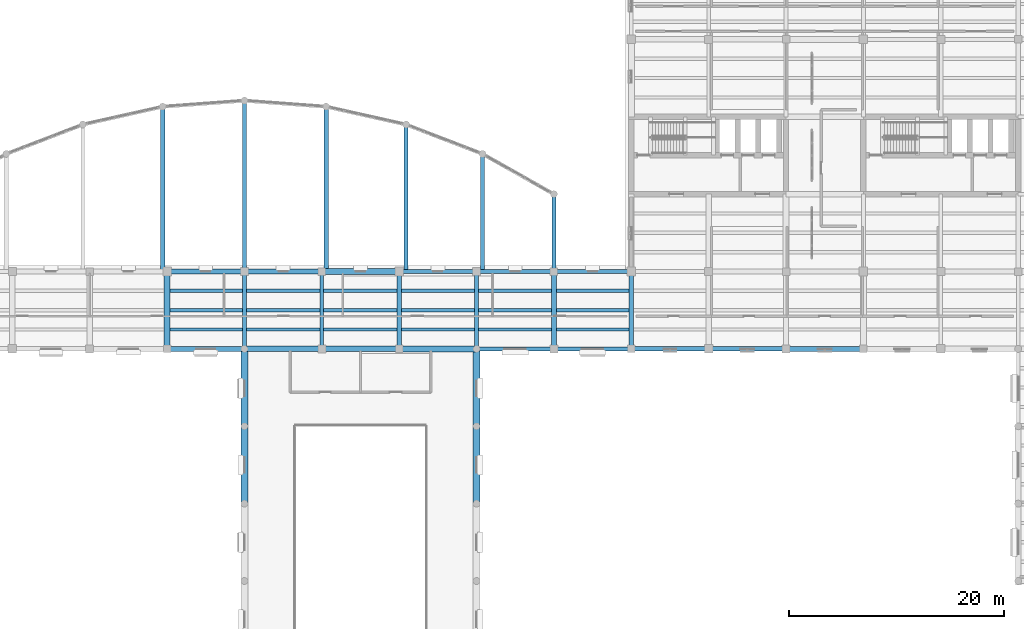
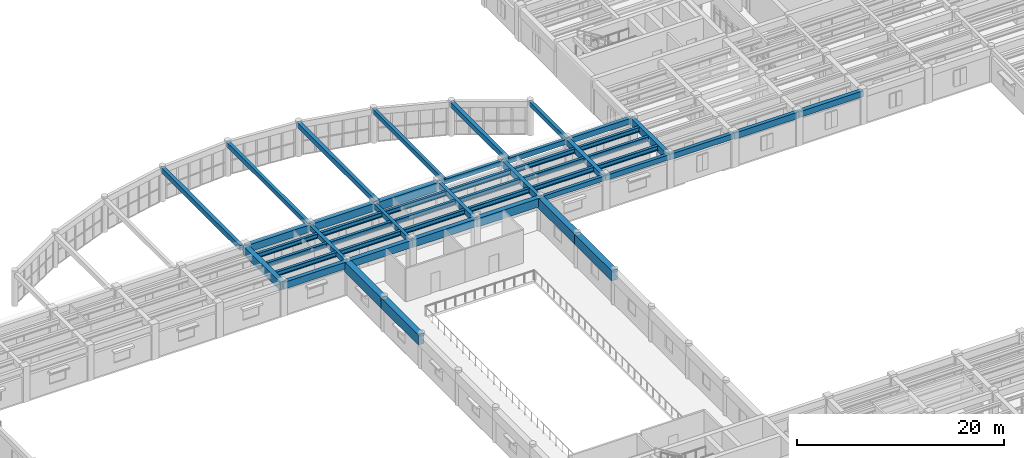
# One storey, part 19 of 76: 44 beams, 6 members.
"""IFC4 building model written with IfcOpenShell, lengths in metres."""

import ifcopenshell
import ifcopenshell.guid

model = None  # the IFC model being written
_history = None  # IfcOwnerHistory: only IFC2X3 demands one
_inside = {}  # id of a spatial element -> (the spatial element, [elements in it])
_under = {}  # id of a project, library or spatial element -> (it, [spatial elements below it])
_declared = {}  # id of a project -> (the project, [libraries it declares])
_typed = {}  # id of a type object -> (the type object, [elements of that type])
_made_of = {}  # id of a material, layer set ... -> (it, [elements and type objects made of it])


def new_model(schema):
    """Start an empty IFC model of exactly this schema.

    Asked for "IFC4X3", IfcOpenShell would pick the latest addendum, in which some entities
    have other attributes; the version numbers below select the first issue.
    IFC2X3 requires an IfcOwnerHistory on every rooted entity: one is made here for all.
    """
    global model, _history
    if schema == "IFC4X3":
        model = ifcopenshell.file(schema_version=(4, 3, 0, 0))
    else:
        model = ifcopenshell.file(schema=schema)
    _inside.clear()
    _under.clear()
    _declared.clear()
    _typed.clear()
    _made_of.clear()
    _history = None
    if model.schema == "IFC2X3":
        org = make("IfcOrganization", Name="unknown")
        user = make(
            "IfcPersonAndOrganization",
            ThePerson=make("IfcPerson", FamilyName="unknown"),
            TheOrganization=org,
        )
        app = make(
            "IfcApplication",
            ApplicationDeveloper=org,
            Version="unknown",
            ApplicationFullName="unknown",
            ApplicationIdentifier="unknown",
        )
        _history = make(
            "IfcOwnerHistory",
            OwningUser=user,
            OwningApplication=app,
            ChangeAction="ADDED",
            CreationDate=0,
        )
    return model


def make(cls, **values):
    """One entity of the class cls with the attributes given. An attribute that is None is left unset."""
    return model.create_entity(
        cls, **{name: value for name, value in values.items() if value is not None}
    )


def rooted(cls, **values):
    """An entity with a GlobalId (a new one), such as an element, a storey or a relation."""
    return make(cls, GlobalId=ifcopenshell.guid.new(), OwnerHistory=_history, **values)


def si_unit(unit_type, name, prefix=None):
    """IfcSIUnit, for example si_unit("LENGTHUNIT", "METRE", prefix="MILLI")."""
    return make("IfcSIUnit", UnitType=unit_type, Prefix=prefix, Name=name)


def assignment(units):
    """IfcUnitAssignment: the units of a project."""
    return None if units is None else make("IfcUnitAssignment", Units=units)


def point(xyz):
    """IfcCartesianPoint."""
    return None if xyz is None else make("IfcCartesianPoint", Coordinates=xyz)


def direction(xyz):
    """IfcDirection."""
    return None if xyz is None else make("IfcDirection", DirectionRatios=xyz)


def frame(location, z_axis=None, x_axis=None):
    """IfcAxis2Placement3D, a coordinate frame: its origin and axes. An axis left out is left unset."""
    return make(
        "IfcAxis2Placement3D",
        Location=point(location),
        Axis=direction(z_axis),
        RefDirection=direction(x_axis),
    )


def frame_2d(location, x_axis=None):
    """IfcAxis2Placement2D, a coordinate frame in the plane: its origin and x axis."""
    return make(
        "IfcAxis2Placement2D", Location=point(location), RefDirection=direction(x_axis)
    )


def origin():
    """The frame at (0, 0, 0) with its axes left unset."""
    return frame((0.0, 0.0, 0.0))


def origin_2d():
    """The frame at (0, 0) in the plane with its x axis left unset."""
    return frame_2d((0.0, 0.0))


def place(relative_to, where):
    """IfcLocalPlacement: puts the frame where relative to a parent placement (None: the world)."""
    return make(
        "IfcLocalPlacement", PlacementRelTo=relative_to, RelativePlacement=where
    )


def context(
    kind, dimensions, precision=None, world=None, true_north=None, identifier=None
):
    """IfcGeometricRepresentationContext, for example the 3D "Model" context."""
    return make(
        "IfcGeometricRepresentationContext",
        ContextIdentifier=identifier,
        ContextType=kind,
        CoordinateSpaceDimension=dimensions,
        Precision=precision,
        WorldCoordinateSystem=world,
        TrueNorth=true_north,
    )


def subcontext(parent, identifier, kind, view, scale=None):
    """IfcGeometricRepresentationSubContext, for example "Body" below "Model"."""
    return make(
        "IfcGeometricRepresentationSubContext",
        ContextIdentifier=identifier,
        ContextType=kind,
        ParentContext=parent,
        TargetScale=scale,
        TargetView=view,
    )


def project(units=None, contexts=None):
    """IfcProject with its units and contexts."""
    return rooted(
        "IfcProject",
        Name="project",
        RepresentationContexts=contexts,
        UnitsInContext=assignment(units),
    )


def spatial(cls, under=None, at=None, **own):
    """A site, building, storey or space (cls), placed at a placement, below another one or the project."""
    s = rooted(cls, ObjectPlacement=at, **own)
    if under is not None:
        _under.setdefault(under.id(), (under, []))[1].append(s)
    return s


def profile(cls, at=None, kind="AREA", **sizes):
    """A parametric profile (cls). Its sizes go by their IFC names, for example OverallWidth=200.0."""
    return make(cls, ProfileType=kind, Position=at, **sizes)


def rectangle(**sizes):
    """IfcRectangleProfileDef."""
    return profile("IfcRectangleProfileDef", **sizes)


def i_section(**sizes):
    """IfcIShapeProfileDef."""
    return profile("IfcIShapeProfileDef", **sizes)


def extrude(swept, where, along, depth):
    """IfcExtrudedAreaSolid: the profile swept, set in the frame where, extruded along a direction by depth."""
    return make(
        "IfcExtrudedAreaSolid",
        SweptArea=swept,
        Position=where,
        ExtrudedDirection=direction(along),
        Depth=depth,
    )


def shape(context_of_items, identifier, shape_type, items):
    """IfcShapeRepresentation: the items that make up one representation, for example the "Body"."""
    return make(
        "IfcShapeRepresentation",
        ContextOfItems=context_of_items,
        RepresentationIdentifier=identifier,
        RepresentationType=shape_type,
        Items=items,
    )


def material(Name=None, Category=None):
    """IfcMaterial."""
    return make("IfcMaterial", Name=Name, Category=Category)


def material_profile(
    of_material, cross_section, Name=None, Category=None, Priority=None
):
    """IfcMaterialProfile: a cross section and its material."""
    return make(
        "IfcMaterialProfile",
        Name=Name,
        Material=of_material,
        Profile=cross_section,
        Priority=Priority,
        Category=Category,
    )


def profile_set(profiles, Name=None, composite=None):
    """IfcMaterialProfileSet."""
    return make(
        "IfcMaterialProfileSet",
        Name=Name,
        MaterialProfiles=profiles,
        CompositeProfile=composite,
    )


def made_of(thing, what):
    """Note that an element or type object is made of a material, layer set ...; save() writes the relation."""
    if what is not None:
        _made_of.setdefault(what.id(), (what, []))[1].append(thing)
    return thing


def type_object(cls, material=None, **own):
    """A type object (cls), such as IfcWallType, which elements share."""
    return made_of(rooted(cls, **own), material)


def element(
    cls,
    number,
    at=None,
    inside=None,
    cuts=None,
    type_object=None,
    material=None,
    context=None,
    identifier="Body",
    shape_type=None,
    held_by="IfcProductDefinitionShape",
    body=None,
    shapes=None,
    **own,
):
    """One element of the class cls, such as IfcWall. Its Tag is "e" and its number.

    at: its placement. inside: the storey or other place that contains it. cuts: it is an
    opening in that element (IfcRelVoidsElement). A single representation is given by context,
    identifier, shape_type and body (its items); several are given by shapes. held_by: the class
    of the entity that holds the representations. save() writes the other relations.
    """
    e = rooted(cls, Tag="e%d" % number, ObjectPlacement=at, **own)
    if body is not None:
        shapes = [shape(context, identifier, shape_type, body)]
    if shapes is not None:
        e.Representation = make(held_by, Representations=shapes)
    if inside is not None:
        _inside.setdefault(inside.id(), (inside, []))[1].append(e)
    if cuts is not None:
        rooted(
            "IfcRelVoidsElement", RelatingBuildingElement=cuts, RelatedOpeningElement=e
        )
    if type_object is not None:
        _typed.setdefault(type_object.id(), (type_object, []))[1].append(e)
    return made_of(e, material)


def aggregate(whole, parts):
    """IfcRelAggregates: a whole, such as a stair, and the parts it consists of."""
    return rooted("IfcRelAggregates", RelatingObject=whole, RelatedObjects=parts)


def save(model, path):
    """Write the relations noted so far, then the file.

    IfcRelAggregates (storeys below a building ...), IfcRelContainedInSpatialStructure (elements
    in a storey), IfcRelDefinesByType, IfcRelAssociatesMaterial and IfcRelDeclares: one each for
    every whole, place, type object, material and project.
    """
    for whole, parts in _under.values():
        aggregate(whole, parts)
    for where, things in _inside.values():
        rooted(
            "IfcRelContainedInSpatialStructure",
            RelatedElements=things,
            RelatingStructure=where,
        )
    for kind, things in _typed.values():
        rooted("IfcRelDefinesByType", RelatedObjects=things, RelatingType=kind)
    for what, things in _made_of.values():
        rooted("IfcRelAssociatesMaterial", RelatedObjects=things, RelatingMaterial=what)
    for by, libraries in _declared.values():
        rooted("IfcRelDeclares", RelatingContext=by, RelatedDefinitions=libraries)
    model.write(path)


model = new_model("IFC4")

# Units and contexts
model_context = context("Model", 3, precision=1e-05, world=origin(), true_north=direction((0.0, 1.0)))
body_context = subcontext(model_context, "Body", "Model", "MODEL_VIEW")
ifc_project = project(units=[si_unit("LENGTHUNIT", "METRE"), si_unit("AREAUNIT", "SQUARE_METRE"), si_unit("VOLUMEUNIT", "CUBIC_METRE"), si_unit("PLANEANGLEUNIT", "RADIAN"), si_unit("MASSUNIT", "GRAM", prefix="KILO")], contexts=[model_context])

# Site, building, storey
site_placement = place(None, origin())
site = spatial("IfcSite", under=ifc_project, at=site_placement, CompositionType="ELEMENT")
building_placement = place(site_placement, origin())
building = spatial("IfcBuilding", under=site, at=building_placement, Name="Mithqara Police Headquarters", CompositionType="ELEMENT")
storey_placement = place(building_placement, frame((0.0, 0.0, 5.39990234375)))
storey = spatial("IfcBuildingStorey", under=building, at=storey_placement, Name="L01", CompositionType="ELEMENT", Elevation=5.39990234375)

# Members
ifc_material_1 = material(Name="Concrete C50/60", Category="concrete")
ifc_material_profile_1 = material_profile(ifc_material_1, rectangle(XDim=0.35009765625, YDim=0.550048828125, at=origin_2d()), Name="ARC 350x550")
ifc_profile_set_1 = profile_set([ifc_material_profile_1], Name="Concrete C50/60")
member_type_1 = type_object("IfcMemberType", Name="ARCH SEG 350X550", PredefinedType="STRUT", material=ifc_profile_set_1)
member_1_placement = place(storey_placement, frame((72.60009765625, 85.800048828125, 3.72509765625), z_axis=(0.0, 1.0, 0.0), x_axis=(-1.0, 0.0, 0.0)))
element("IfcMember", 1, at=member_1_placement, inside=storey, type_object=member_type_1, Name="Forecourt Arcade Transverse Strut 5", PredefinedType="STRUT", context=body_context, shape_type="SweptSolid", body=[
    extrude(rectangle(XDim=0.35009765625, YDim=0.550048828125, at=origin_2d()), origin(), (0.0, 0.0, 1.0), 15.90380859375),
])
member_2_placement = place(storey_placement, frame((87.643310546875, 85.800048828125, 3.72509765625), z_axis=(0.0, 1.0, 0.0), x_axis=(-1.0, 0.0, 0.0)))
element("IfcMember", 2, at=member_2_placement, inside=storey, type_object=member_type_1, Name="Forecourt Arcade Transverse Strut 7", PredefinedType="STRUT", context=body_context, shape_type="SweptSolid", body=[
    extrude(rectangle(XDim=0.35009765625, YDim=0.550048828125, at=origin_2d()), origin(), (0.0, 0.0, 1.0), 13.68017578125),
])
member_3_placement = place(storey_placement, frame((101.39990234375, 85.800048828125, 3.72509765625), z_axis=(0.0, 1.0, 0.0), x_axis=(-1.0, 0.0, 0.0)))
element("IfcMember", 3, at=member_3_placement, inside=storey, type_object=member_type_1, Name="Forecourt Arcade Transverse Strut 9", PredefinedType="STRUT", context=body_context, shape_type="SweptSolid", body=[
    extrude(rectangle(XDim=0.35009765625, YDim=0.550048828125, at=origin_2d()), origin(), (0.0, 0.0, 1.0), 7.199951171875),
])
ifc_material_profile_2 = material_profile(ifc_material_1, rectangle(XDim=0.39990234375, YDim=0.60009765625, at=origin_2d()), Name="ARC 400x600")
ifc_profile_set_2 = profile_set([ifc_material_profile_2], Name="Concrete C50/60")
member_type_2 = type_object("IfcMemberType", Name="ARCH SEG 400X600", PredefinedType="STRUT", material=ifc_profile_set_2)
for number, where, z_axis, x_axis, name in (
    (4, (64.99658203125, 85.800048828125, 3.7001953125), (0.0, 1.0, 0.0), (-1.0, 0.0, 0.0), "Forecourt Arcade Transverse Strut 4"),
    (5, (80.203369140625, 85.800048828125, 3.7001953125), (0.0, 1.0, 0.0), (-1.0, 0.0, 0.0), "Forecourt Arcade Transverse Strut 6"),
):
    element("IfcMember", number, at=place(storey_placement, frame(where, z_axis=z_axis, x_axis=x_axis)), inside=storey, type_object=member_type_2, Name=name, PredefinedType="STRUT", context=body_context, shape_type="SweptSolid", body=[
        extrude(rectangle(XDim=0.39990234375, YDim=0.60009765625, at=origin_2d()), origin(), (0.0, 0.0, 1.0), 15.344970703125),
    ])
member_4_placement = place(storey_placement, frame((94.759765625, 85.800048828125, 3.7001953125), z_axis=(0.0, 1.0, 0.0), x_axis=(-1.0, 0.0, 0.0)))
element("IfcMember", 6, at=member_4_placement, inside=storey, type_object=member_type_2, Name="Forecourt Arcade Transverse Strut 8", PredefinedType="STRUT", context=body_context, shape_type="SweptSolid", body=[
    extrude(rectangle(XDim=0.39990234375, YDim=0.60009765625, at=origin_2d()), origin(), (0.0, 0.0, 1.0), 10.945556640625),
])

# Beams
ifc_material_2 = material(Name="Steel S355JR", Category="steel")
ifc_material_profile_3 = material_profile(ifc_material_2, i_section(OverallWidth=0.300048828125, OverallDepth=0.550048828125, WebThickness=0.014892578125, FlangeThickness=0.029052734375, FilletRadius=0.027099609375, at=origin_2d()), Name="HEB 550")
ifc_profile_set_3 = profile_set([ifc_material_profile_3], Name="Steel S355JR")
beam_type_1 = type_object("IfcBeamType", Name="BEAM HEB550", PredefinedType="BEAM", material=ifc_profile_set_3)
for number, where, z_axis, x_axis, name in (
    (7, (65.675048828125, 80.39990234375, 3.64501953125), (1.0, 0.0, 0.0), (0.0, 1.0, 0.0), "L01 Composite Steel Joist 10-11/M.1"),
    (8, (65.675048828125, 82.199951171875, 3.64501953125), (1.0, 0.0, 0.0), (0.0, 1.0, 0.0), "L01 Composite Steel Joist 10-11/M.2"),
    (9, (65.675048828125, 84.0, 3.64501953125), (1.0, 0.0, 0.0), (0.0, 1.0, 0.0), "L01 Composite Steel Joist 10-11/M.3"),
):
    element("IfcBeam", number, at=place(storey_placement, frame(where, z_axis=z_axis, x_axis=x_axis)), inside=storey, type_object=beam_type_1, Name=name, PredefinedType="BEAM", context=body_context, shape_type="SweptSolid", body=[
        extrude(i_section(OverallWidth=0.300048828125, OverallDepth=0.550048828125, WebThickness=0.014892578125, FlangeThickness=0.029052734375, FilletRadius=0.027099609375, at=origin_2d()), origin(), (0.0, 0.0, 1.0), 6.75),
    ])
for number, where, z_axis, x_axis, name in (
    (10, (72.77490234375, 80.39990234375, 3.64501953125), (1.0, 0.0, 0.0), (0.0, 1.0, 0.0), "L01 Composite Steel Joist 11-12/M.1"),
    (11, (72.77490234375, 82.199951171875, 3.64501953125), (1.0, 0.0, 0.0), (0.0, 1.0, 0.0), "L01 Composite Steel Joist 11-12/M.2"),
    (12, (72.77490234375, 84.0, 3.64501953125), (1.0, 0.0, 0.0), (0.0, 1.0, 0.0), "L01 Composite Steel Joist 11-12/M.3"),
):
    element("IfcBeam", number, at=place(storey_placement, frame(where, z_axis=z_axis, x_axis=x_axis)), inside=storey, type_object=beam_type_1, Name=name, PredefinedType="BEAM", context=body_context, shape_type="SweptSolid", body=[
        extrude(i_section(OverallWidth=0.300048828125, OverallDepth=0.550048828125, WebThickness=0.014892578125, FlangeThickness=0.029052734375, FilletRadius=0.027099609375, at=origin_2d()), origin(), (0.0, 0.0, 1.0), 6.85009765625),
    ])
for number, where, z_axis, x_axis, name in (
    (13, (79.97509765625, 80.39990234375, 3.64501953125), (1.0, 0.0, 0.0), (0.0, 1.0, 0.0), "L01 Composite Steel Joist 12-13/M.1"),
    (14, (79.97509765625, 82.199951171875, 3.64501953125), (1.0, 0.0, 0.0), (0.0, 1.0, 0.0), "L01 Composite Steel Joist 12-13/M.2"),
    (15, (79.97509765625, 84.0, 3.64501953125), (1.0, 0.0, 0.0), (0.0, 1.0, 0.0), "L01 Composite Steel Joist 12-13/M.3"),
):
    element("IfcBeam", number, at=place(storey_placement, frame(where, z_axis=z_axis, x_axis=x_axis)), inside=storey, type_object=beam_type_1, Name=name, PredefinedType="BEAM", context=body_context, shape_type="SweptSolid", body=[
        extrude(i_section(OverallWidth=0.300048828125, OverallDepth=0.550048828125, WebThickness=0.014892578125, FlangeThickness=0.029052734375, FilletRadius=0.027099609375, at=origin_2d()), origin(), (0.0, 0.0, 1.0), 6.824951171875),
    ])
for number, where, z_axis, x_axis, name in (
    (16, (87.199951171875, 80.39990234375, 3.64501953125), (1.0, 0.0, 0.0), (0.0, 1.0, 0.0), "L01 Composite Steel Joist 13-14/M.1"),
    (17, (87.199951171875, 82.199951171875, 3.64501953125), (1.0, 0.0, 0.0), (0.0, 1.0, 0.0), "L01 Composite Steel Joist 13-14/M.2"),
    (18, (87.199951171875, 84.0, 3.64501953125), (1.0, 0.0, 0.0), (0.0, 1.0, 0.0), "L01 Composite Steel Joist 13-14/M.3"),
):
    element("IfcBeam", number, at=place(storey_placement, frame(where, z_axis=z_axis, x_axis=x_axis)), inside=storey, type_object=beam_type_1, Name=name, PredefinedType="BEAM", context=body_context, shape_type="SweptSolid", body=[
        extrude(i_section(OverallWidth=0.300048828125, OverallDepth=0.550048828125, WebThickness=0.014892578125, FlangeThickness=0.029052734375, FilletRadius=0.027099609375, at=origin_2d()), origin(), (0.0, 0.0, 1.0), 6.800048828125),
    ])
for number, where, z_axis, x_axis, name in (
    (19, (94.39990234375, 80.39990234375, 3.64501953125), (1.0, 0.0, 0.0), (0.0, 1.0, 0.0), "L01 Composite Steel Joist 14-15/M.1"),
    (20, (94.39990234375, 82.199951171875, 3.64501953125), (1.0, 0.0, 0.0), (0.0, 1.0, 0.0), "L01 Composite Steel Joist 14-15/M.2"),
    (21, (94.39990234375, 84.0, 3.64501953125), (1.0, 0.0, 0.0), (0.0, 1.0, 0.0), "L01 Composite Steel Joist 14-15/M.3"),
):
    element("IfcBeam", number, at=place(storey_placement, frame(where, z_axis=z_axis, x_axis=x_axis)), inside=storey, type_object=beam_type_1, Name=name, PredefinedType="BEAM", context=body_context, shape_type="SweptSolid", body=[
        extrude(i_section(OverallWidth=0.300048828125, OverallDepth=0.550048828125, WebThickness=0.014892578125, FlangeThickness=0.029052734375, FilletRadius=0.027099609375, at=origin_2d()), origin(), (0.0, 0.0, 1.0), 6.775146484375),
    ])
for number, where, z_axis, x_axis, name in (
    (22, (101.625, 80.39990234375, 3.64501953125), (1.0, 0.0, 0.0), (0.0, 1.0, 0.0), "L01 Composite Steel Joist 15-16/M.1"),
    (23, (101.625, 82.199951171875, 3.64501953125), (1.0, 0.0, 0.0), (0.0, 1.0, 0.0), "L01 Composite Steel Joist 15-16/M.2"),
    (24, (101.625, 84.0, 3.64501953125), (1.0, 0.0, 0.0), (0.0, 1.0, 0.0), "L01 Composite Steel Joist 15-16/M.3"),
):
    element("IfcBeam", number, at=place(storey_placement, frame(where, z_axis=z_axis, x_axis=x_axis)), inside=storey, type_object=beam_type_1, Name=name, PredefinedType="BEAM", context=body_context, shape_type="SweptSolid", body=[
        extrude(i_section(OverallWidth=0.300048828125, OverallDepth=0.550048828125, WebThickness=0.014892578125, FlangeThickness=0.029052734375, FilletRadius=0.027099609375, at=origin_2d()), origin(), (0.0, 0.0, 1.0), 6.75),
    ])
ifc_material_3 = material(Name="Concrete C40/50", Category="concrete")
ifc_material_profile_4 = material_profile(ifc_material_3, rectangle(XDim=0.35009765625, YDim=0.550048828125, at=origin_2d()), Name="RC 350x550")
ifc_profile_set_4 = profile_set([ifc_material_profile_4], Name="Concrete C40/50")
beam_type_2 = type_object("IfcBeamType", Name="BEAM RC350X550", PredefinedType="BEAM", material=ifc_profile_set_4)
for number, where, z_axis, x_axis, name in (
    (25, (72.60009765625, 78.60009765625, 3.64501953125), (0.0, 1.0, 0.0), (-1.0, 0.0, 0.0), "L01 Girder 11/M-N"),
    (26, (87.0, 85.800048828125, 3.64501953125), (1.0, 0.0, 0.0), (0.0, 1.0, 0.0), "L01 Girder 13-14/N"),
    (27, (94.199951171875, 78.60009765625, 3.64501953125), (1.0, 0.0, 0.0), (0.0, 1.0, 0.0), "L01 Girder 14-15/M"),
):
    element("IfcBeam", number, at=place(storey_placement, frame(where, z_axis=z_axis, x_axis=x_axis)), inside=storey, type_object=beam_type_2, Name=name, PredefinedType="BEAM", context=body_context, shape_type="SweptSolid", body=[
        extrude(rectangle(XDim=0.35009765625, YDim=0.550048828125, at=origin_2d()), origin(), (0.0, 0.0, 1.0), 7.199951171875),
    ])
ifc_material_profile_5 = material_profile(ifc_material_3, rectangle(XDim=0.35009765625, YDim=0.60009765625, at=origin_2d()), Name="RC 350x600")
ifc_profile_set_5 = profile_set([ifc_material_profile_5], Name="Concrete C40/50")
beam_type_3 = type_object("IfcBeamType", Name="BEAM RC350X600", PredefinedType="BEAM", material=ifc_profile_set_5)
for number, where, z_axis, x_axis, name in (
    (28, (79.800048828125, 78.60009765625, 3.6201171875), (0.0, 1.0, 0.0), (-1.0, 0.0, 0.0), "L01 Girder 12/M-N"),
    (29, (94.199951171875, 85.800048828125, 3.6201171875), (1.0, 0.0, 0.0), (0.0, 1.0, 0.0), "L01 Girder 14-15/N"),
):
    element("IfcBeam", number, at=place(storey_placement, frame(where, z_axis=z_axis, x_axis=x_axis)), inside=storey, type_object=beam_type_3, Name=name, PredefinedType="BEAM", context=body_context, shape_type="SweptSolid", body=[
        extrude(rectangle(XDim=0.35009765625, YDim=0.60009765625, at=origin_2d()), origin(), (0.0, 0.0, 1.0), 7.199951171875),
    ])
beam_1_placement = place(storey_placement, frame((101.39990234375, 78.60009765625, 3.6201171875), z_axis=(1.0, 0.0, 0.0), x_axis=(0.0, 1.0, 0.0)))
element("IfcBeam", 30, at=beam_1_placement, inside=storey, type_object=beam_type_3, Name="L01 Girder 15-16/M", PredefinedType="BEAM", context=body_context, shape_type="SweptSolid", body=[
    extrude(rectangle(XDim=0.35009765625, YDim=0.60009765625, at=origin_2d()), origin(), (0.0, 0.0, 1.0), 7.2001953125),
])
ifc_material_profile_6 = material_profile(ifc_material_3, rectangle(XDim=0.39990234375, YDim=0.64990234375, at=origin_2d()), Name="RC 400x650")
ifc_profile_set_6 = profile_set([ifc_material_profile_6], Name="Concrete C40/50")
beam_type_4 = type_object("IfcBeamType", Name="BEAM RC400X650", PredefinedType="BEAM", material=ifc_profile_set_6)
beam_2_placement = place(storey_placement, frame((87.0, 78.60009765625, 3.59521484375), z_axis=(0.0, 1.0, 0.0), x_axis=(-1.0, 0.0, 0.0)))
element("IfcBeam", 31, at=beam_2_placement, inside=storey, type_object=beam_type_4, Name="L01 Girder 13/M-N", PredefinedType="BEAM", context=body_context, shape_type="SweptSolid", body=[
    extrude(rectangle(XDim=0.39990234375, YDim=0.64990234375, at=origin_2d()), origin(), (0.0, 0.0, 1.0), 7.199951171875),
])
beam_3_placement = place(storey_placement, frame((101.39990234375, 85.800048828125, 3.59521484375), z_axis=(1.0, 0.0, 0.0), x_axis=(0.0, 1.0, 0.0)))
element("IfcBeam", 32, at=beam_3_placement, inside=storey, type_object=beam_type_4, Name="L01 Girder 15-16/N", PredefinedType="BEAM", context=body_context, shape_type="SweptSolid", body=[
    extrude(rectangle(XDim=0.39990234375, YDim=0.64990234375, at=origin_2d()), origin(), (0.0, 0.0, 1.0), 7.2001953125),
])
beam_4_placement = place(storey_placement, frame((108.60009765625, 78.60009765625, 3.59521484375), z_axis=(1.0, 0.0, 0.0), x_axis=(0.0, 1.0, 0.0)))
element("IfcBeam", 33, at=beam_4_placement, inside=storey, type_object=beam_type_4, Name="L01 Girder 16-17/M", PredefinedType="BEAM", context=body_context, shape_type="SweptSolid", body=[
    extrude(rectangle(XDim=0.39990234375, YDim=0.64990234375, at=origin_2d()), origin(), (0.0, 0.0, 1.0), 7.199951171875),
])
ifc_material_profile_7 = material_profile(ifc_material_3, rectangle(XDim=0.39990234375, YDim=0.75, at=origin_2d()), Name="RC 400x750")
ifc_profile_set_7 = profile_set([ifc_material_profile_7], Name="Concrete C40/50")
beam_type_5 = type_object("IfcBeamType", Name="BEAM RC400X750", PredefinedType="BEAM", material=ifc_profile_set_7)
for number, where, z_axis, x_axis, name in (
    (34, (94.199951171875, 78.60009765625, 3.545166015625), (0.0, 1.0, 0.0), (-1.0, 0.0, 0.0), "L01 Girder 14/M-N"),
    (35, (115.800048828125, 78.60009765625, 3.545166015625), (1.0, 0.0, 0.0), (0.0, 1.0, 0.0), "L01 Girder 17-18/M"),
):
    element("IfcBeam", number, at=place(storey_placement, frame(where, z_axis=z_axis, x_axis=x_axis)), inside=storey, type_object=beam_type_5, Name=name, PredefinedType="BEAM", context=body_context, shape_type="SweptSolid", body=[
        extrude(rectangle(XDim=0.39990234375, YDim=0.75, at=origin_2d()), origin(), (0.0, 0.0, 1.0), 7.199951171875),
    ])
ifc_material_profile_8 = material_profile(ifc_material_3, rectangle(XDim=0.449951171875, YDim=0.699951171875, at=origin_2d()), Name="RC 450x700")
ifc_profile_set_8 = profile_set([ifc_material_profile_8], Name="Concrete C40/50")
beam_type_6 = type_object("IfcBeamType", Name="BEAM RC450X700", PredefinedType="BEAM", material=ifc_profile_set_8)
for number, where, z_axis, x_axis, name in (
    (36, (101.39990234375, 78.60009765625, 3.570068359375), (0.0, 1.0, 0.0), (-1.0, 0.0, 0.0), "L01 Girder 15/M-N"),
    (37, (123.0, 78.60009765625, 3.570068359375), (1.0, 0.0, 0.0), (0.0, 1.0, 0.0), "L01 Girder 18-19/M"),
):
    element("IfcBeam", number, at=place(storey_placement, frame(where, z_axis=z_axis, x_axis=x_axis)), inside=storey, type_object=beam_type_6, Name=name, PredefinedType="BEAM", context=body_context, shape_type="SweptSolid", body=[
        extrude(rectangle(XDim=0.449951171875, YDim=0.699951171875, at=origin_2d()), origin(), (0.0, 0.0, 1.0), 7.199951171875),
    ])
ifc_material_profile_9 = material_profile(ifc_material_3, rectangle(XDim=0.449951171875, YDim=0.800048828125, at=origin_2d()), Name="RC 450x800")
ifc_profile_set_9 = profile_set([ifc_material_profile_9], Name="Concrete C40/50")
beam_type_7 = type_object("IfcBeamType", Name="BEAM RC450X800", PredefinedType="BEAM", material=ifc_profile_set_9)
beam_5_placement = place(storey_placement, frame((65.39990234375, 78.60009765625, 3.52001953125), z_axis=(1.0, 0.0, 0.0), x_axis=(0.0, 1.0, 0.0)))
element("IfcBeam", 38, at=beam_5_placement, inside=storey, type_object=beam_type_7, Name="L01 Girder 10-11/M", PredefinedType="BEAM", context=body_context, shape_type="SweptSolid", body=[
    extrude(rectangle(XDim=0.449951171875, YDim=0.800048828125, at=origin_2d()), origin(), (0.0, 0.0, 1.0), 7.2001953125),
])
beam_6_placement = place(storey_placement, frame((108.60009765625, 78.60009765625, 3.52001953125), z_axis=(0.0, 1.0, 0.0), x_axis=(-1.0, 0.0, 0.0)))
element("IfcBeam", 39, at=beam_6_placement, inside=storey, type_object=beam_type_7, Name="L01 Girder 16/M-N", PredefinedType="BEAM", context=body_context, shape_type="SweptSolid", body=[
    extrude(rectangle(XDim=0.449951171875, YDim=0.800048828125, at=origin_2d()), origin(), (0.0, 0.0, 1.0), 7.199951171875),
])
ifc_material_profile_10 = material_profile(ifc_material_3, rectangle(XDim=0.5, YDim=0.85009765625, at=origin_2d()), Name="RC 500x850")
ifc_profile_set_10 = profile_set([ifc_material_profile_10], Name="Concrete C40/50")
beam_type_8 = type_object("IfcBeamType", Name="BEAM RC500X850", PredefinedType="BEAM", material=ifc_profile_set_10)
beam_7_placement = place(storey_placement, frame((65.39990234375, 85.800048828125, 3.4951171875), z_axis=(1.0, 0.0, 0.0), x_axis=(0.0, 1.0, 0.0)))
element("IfcBeam", 40, at=beam_7_placement, inside=storey, type_object=beam_type_8, Name="L01 Girder 10-11/N", PredefinedType="BEAM", context=body_context, shape_type="SweptSolid", body=[
    extrude(rectangle(XDim=0.5, YDim=0.85009765625, at=origin_2d()), origin(), (0.0, 0.0, 1.0), 7.2001953125),
])
beam_8_placement = place(storey_placement, frame((72.60009765625, 78.60009765625, 3.4951171875), z_axis=(1.0, 0.0, 0.0), x_axis=(0.0, 1.0, 0.0)))
element("IfcBeam", 41, at=beam_8_placement, inside=storey, type_object=beam_type_8, Name="L01 Girder 11-12/M", PredefinedType="BEAM", context=body_context, shape_type="SweptSolid", body=[
    extrude(rectangle(XDim=0.5, YDim=0.85009765625, at=origin_2d()), origin(), (0.0, 0.0, 1.0), 7.199951171875),
])
ifc_material_profile_11 = material_profile(ifc_material_1, rectangle(XDim=0.5, YDim=0.89990234375, at=origin_2d()), Name="RC 500x900")
ifc_profile_set_11 = profile_set([ifc_material_profile_11], Name="Concrete C50/60")
beam_type_9 = type_object("IfcBeamType", Name="BEAM RC500X900", PredefinedType="BEAM", material=ifc_profile_set_11)
for number, where, z_axis, x_axis, name in (
    (42, (72.60009765625, 85.800048828125, 3.47021484375), (1.0, 0.0, 0.0), (0.0, 1.0, 0.0), "L01 Girder 11-12/N"),
    (43, (79.800048828125, 78.60009765625, 3.47021484375), (1.0, 0.0, 0.0), (0.0, 1.0, 0.0), "L01 Girder 12-13/M"),
):
    element("IfcBeam", number, at=place(storey_placement, frame(where, z_axis=z_axis, x_axis=x_axis)), inside=storey, type_object=beam_type_9, Name=name, PredefinedType="BEAM", context=body_context, shape_type="SweptSolid", body=[
        extrude(rectangle(XDim=0.5, YDim=0.89990234375, at=origin_2d()), origin(), (0.0, 0.0, 1.0), 7.199951171875),
    ])
ifc_material_profile_12 = material_profile(ifc_material_1, rectangle(XDim=0.550048828125, YDim=1.0, at=origin_2d()), Name="RC 550x1000")
ifc_profile_set_12 = profile_set([ifc_material_profile_12], Name="Concrete C50/60")
beam_type_10 = type_object("IfcBeamType", Name="BEAM RC550X1000", PredefinedType="BEAM", material=ifc_profile_set_12)
for number, where, z_axis, x_axis, name in (
    (44, (65.39990234375, 78.60009765625, 3.420166015625), (0.0, 1.0, 0.0), (-1.0, 0.0, 0.0), "L01 Girder 10/M-N"),
    (45, (79.800048828125, 85.800048828125, 3.420166015625), (1.0, 0.0, 0.0), (0.0, 1.0, 0.0), "L01 Girder 12-13/N"),
    (46, (87.0, 78.60009765625, 3.420166015625), (1.0, 0.0, 0.0), (0.0, 1.0, 0.0), "L01 Girder 13-14/M"),
):
    element("IfcBeam", number, at=place(storey_placement, frame(where, z_axis=z_axis, x_axis=x_axis)), inside=storey, type_object=beam_type_10, Name=name, PredefinedType="BEAM", context=body_context, shape_type="SweptSolid", body=[
        extrude(rectangle(XDim=0.550048828125, YDim=1.0, at=origin_2d()), origin(), (0.0, 0.0, 1.0), 7.199951171875),
    ])
ifc_material_profile_13 = material_profile(ifc_material_1, rectangle(XDim=0.64990234375, YDim=1.199951171875, at=origin_2d()), Name="RC 650x1200")
ifc_profile_set_13 = profile_set([ifc_material_profile_13], Name="Concrete C50/60")
beam_type_11 = type_object("IfcBeamType", Name="TRANSFER RC650X1200", PredefinedType="BEAM", material=ifc_profile_set_13)
beam_9_placement = place(storey_placement, frame((72.60009765625, 64.199951171875, 3.320068359375), z_axis=(0.0, 1.0, 0.0), x_axis=(-1.0, 0.0, 0.0)))
element("IfcBeam", 47, at=beam_9_placement, inside=storey, type_object=beam_type_11, Name="L01 Girder 11/K-L", PredefinedType="BEAM", context=body_context, shape_type="SweptSolid", body=[
    extrude(rectangle(XDim=0.64990234375, YDim=1.199951171875, at=origin_2d()), origin(), (0.0, 0.0, 1.0), 7.199951171875),
])
beam_10_placement = place(storey_placement, frame((72.60009765625, 71.39990234375, 3.320068359375), z_axis=(0.0, 1.0, 0.0), x_axis=(-1.0, 0.0, 0.0)))
element("IfcBeam", 48, at=beam_10_placement, inside=storey, type_object=beam_type_11, Name="L01 Girder 11/L-M", PredefinedType="BEAM", context=body_context, shape_type="SweptSolid", body=[
    extrude(rectangle(XDim=0.64990234375, YDim=1.199951171875, at=origin_2d()), origin(), (0.0, 0.0, 1.0), 7.2001953125),
])
beam_11_placement = place(storey_placement, frame((94.199951171875, 64.199951171875, 3.320068359375), z_axis=(0.0, 1.0, 0.0), x_axis=(-1.0, 0.0, 0.0)))
element("IfcBeam", 49, at=beam_11_placement, inside=storey, type_object=beam_type_11, Name="L01 Girder 14/K-L", PredefinedType="BEAM", context=body_context, shape_type="SweptSolid", body=[
    extrude(rectangle(XDim=0.64990234375, YDim=1.199951171875, at=origin_2d()), origin(), (0.0, 0.0, 1.0), 7.199951171875),
])
beam_12_placement = place(storey_placement, frame((94.199951171875, 71.39990234375, 3.320068359375), z_axis=(0.0, 1.0, 0.0), x_axis=(-1.0, 0.0, 0.0)))
element("IfcBeam", 50, at=beam_12_placement, inside=storey, type_object=beam_type_11, Name="L01 Girder 14/L-M", PredefinedType="BEAM", context=body_context, shape_type="SweptSolid", body=[
    extrude(rectangle(XDim=0.64990234375, YDim=1.199951171875, at=origin_2d()), origin(), (0.0, 0.0, 1.0), 7.2001953125),
])

save(model, "model.ifc")
